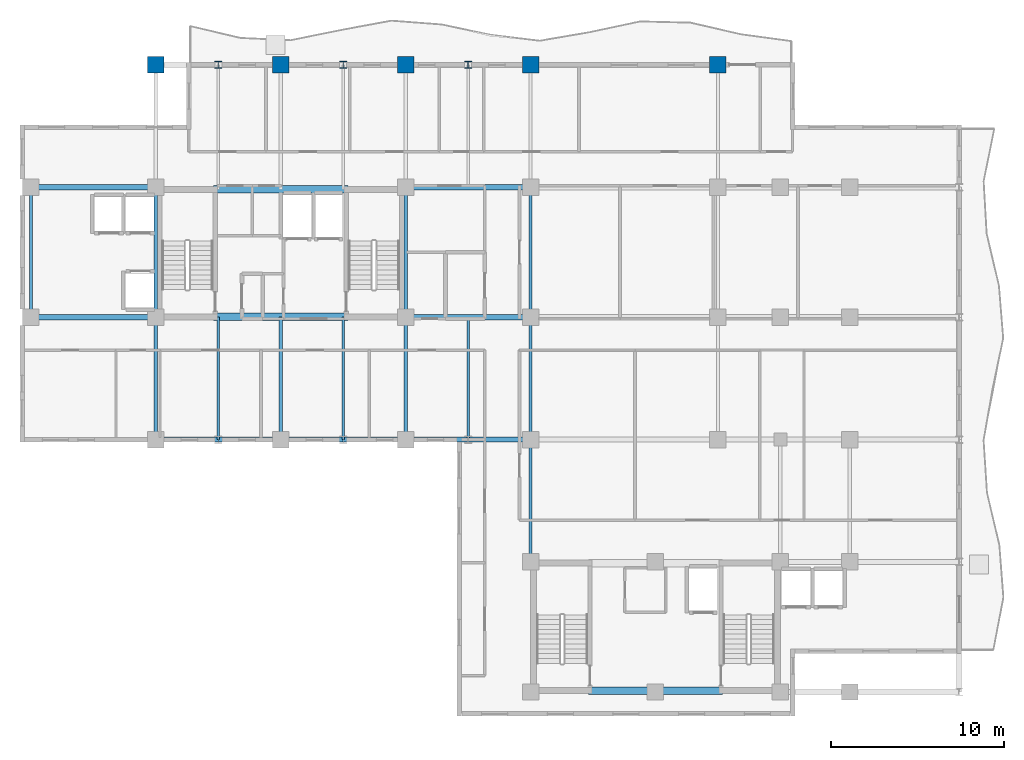
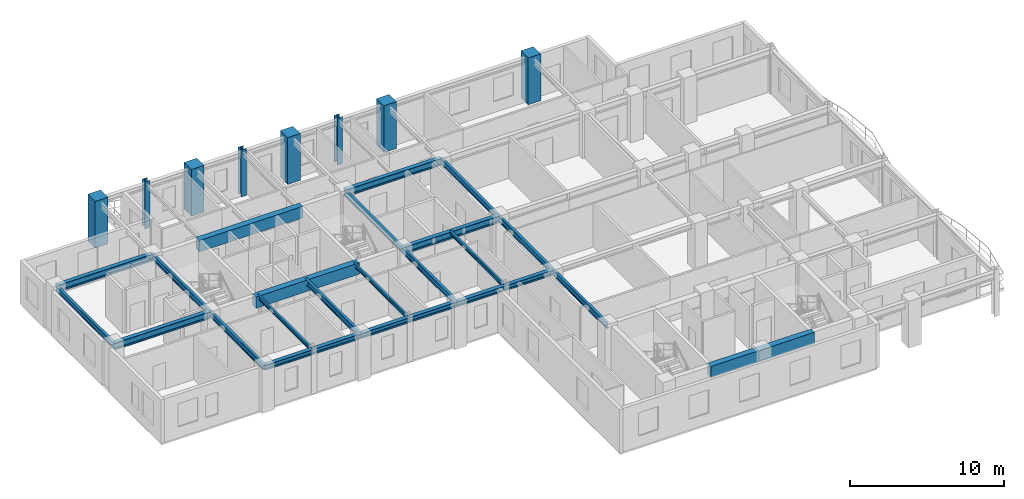
# One storey, part 3 of 13: 25 beams, 8 columns.
"""IFC4 building model written with IfcOpenShell, lengths in metres."""

from ifc_helpers import new_model, si_unit, direction, frame, origin, origin_2d, place, context, subcontext, project, spatial, rectangle, i_section, extrude, source, transform, mapped, material, material_profile, profile_set, type_object, element, save


model = new_model("IFC4")

# Units and contexts
model_context = context("Model", 3, precision=1e-05, world=origin(), true_north=direction((0.0, 1.0)))
body_context = subcontext(model_context, "Body", "Model", "MODEL_VIEW")
ifc_project = project(units=[si_unit("LENGTHUNIT", "METRE"), si_unit("AREAUNIT", "SQUARE_METRE"), si_unit("VOLUMEUNIT", "CUBIC_METRE"), si_unit("PLANEANGLEUNIT", "RADIAN"), si_unit("MASSUNIT", "GRAM", prefix="KILO")], contexts=[model_context])

# Site, building, storey
site_placement = place(None, origin())
site = spatial("IfcSite", under=ifc_project, at=site_placement, CompositionType="ELEMENT")
building_placement = place(site_placement, origin())
building = spatial("IfcBuilding", under=site, at=building_placement, Name="Kaliganga Portal Commons", CompositionType="ELEMENT")
storey_placement = place(building_placement, frame((0.0, 0.0, 224.0)))
storey = spatial("IfcBuildingStorey", under=building, at=storey_placement, Name="L57", CompositionType="ELEMENT", Elevation=224.0)

# Columns
ifc_material_1 = material(Name="Concrete C50/60", Category="concrete")
ifc_material_profile_1 = material_profile(ifc_material_1, rectangle(XDim=0.949951171875, YDim=0.949951171875, at=origin_2d()), Name="RC 950x950")
ifc_profile_set_1 = profile_set([ifc_material_profile_1], Name="Concrete C50/60")
column_type_1 = type_object("IfcColumnType", Name="COL-MEGA-Z4", PredefinedType="COLUMN", material=ifc_profile_set_1)
shared_shape_1 = source(origin(), body_context, "Body", "SweptSolid", [
    extrude(rectangle(XDim=0.949951171875, YDim=0.949951171875, at=origin_2d()), origin(), (0.0, 0.0, 1.0), 3.699951171875),
])
for number, where, z_axis, x_axis, name in (
    (1, (14.39990234375, 43.199951171875, 0.0), (0.0, 0.0, 1.0), (1.0, 0.0, 0.0), "Column MC-05 L57"),
    (2, (21.60009765625, 43.199951171875, 0.0), (0.0, 0.0, 1.0), (1.0, 0.0, 0.0), "Column MC-05 L57"),
    (3, (28.800048828125, 43.199951171875, 0.0), (0.0, 0.0, 1.0), (1.0, 0.0, 0.0), "Column MC-05 L57"),
    (4, (36.0, 43.199951171875, 0.0), (0.0, 0.0, 1.0), (1.0, 0.0, 0.0), "Column MC-05 L57"),
    (5, (46.800048828125, 43.199951171875, 0.0), (0.0, 0.0, 1.0), (1.0, 0.0, 0.0), "Column MC-05 L57"),
):
    element("IfcColumn", number, at=place(storey_placement, frame(where, z_axis=z_axis, x_axis=x_axis)), inside=storey, type_object=column_type_1, Name=name, PredefinedType="COLUMN", context=body_context, shape_type="MappedRepresentation", body=[
        mapped(shared_shape_1, transform((0.0, 0.0, 0.0), x_axis=(1.0, 0.0, 0.0), y_axis=(0.0, 1.0, 0.0), z_axis=(0.0, 0.0, 1.0), scale=1.0)),
    ])
ifc_material_2 = material(Name="Structural steel S355J2", Category="steel")
ifc_material_profile_2 = material_profile(ifc_material_2, i_section(OverallWidth=0.39892578125, OverallDepth=0.39990234375, WebThickness=0.017333984375, FlangeThickness=0.0234375, FilletRadius=0.014892578125, at=origin_2d()), Name="HD 400x287")
ifc_profile_set_2 = profile_set([ifc_material_profile_2], Name="Structural steel S355J2 wide-flange")
column_type_2 = type_object("IfcColumnType", Name="COL-TUBE-B4", PredefinedType="COLUMN", material=ifc_profile_set_2)
shared_shape_2 = source(origin(), body_context, "Body", "SweptSolid", [
    extrude(i_section(OverallWidth=0.39892578125, OverallDepth=0.39990234375, WebThickness=0.017333984375, FlangeThickness=0.0234375, FilletRadius=0.014892578125, at=origin_2d()), origin(), (0.0, 0.0, 1.0), 3.699951171875),
])
for number, where, z_axis, x_axis, name in (
    (6, (18.0, 43.199951171875, 0.0), (0.0, 0.0, 1.0), (1.0, 0.0, 0.0), "Column TC-04 L57"),
    (7, (25.199951171875, 43.199951171875, 0.0), (0.0, 0.0, 1.0), (1.0, 0.0, 0.0), "Column TC-04 L57"),
    (8, (32.39990234375, 43.199951171875, 0.0), (0.0, 0.0, 1.0), (1.0, 0.0, 0.0), "Column TC-04 L57"),
):
    element("IfcColumn", number, at=place(storey_placement, frame(where, z_axis=z_axis, x_axis=x_axis)), inside=storey, type_object=column_type_2, Name=name, PredefinedType="COLUMN", context=body_context, shape_type="MappedRepresentation", body=[
        mapped(shared_shape_2, transform((0.0, 0.0, 0.0), x_axis=(1.0, 0.0, 0.0), y_axis=(0.0, 1.0, 0.0), z_axis=(0.0, 0.0, 1.0), scale=1.0)),
    ])

# Beams
ifc_material_profile_3 = material_profile(ifc_material_1, rectangle(XDim=0.449951171875, YDim=0.89990234375, at=origin_2d()), Name="RC 450x900")
ifc_profile_set_3 = profile_set([ifc_material_profile_3], Name="Concrete C50/60")
beam_type_1 = type_object("IfcBeamType", Name="BM-CPL-900", PredefinedType="LINTEL", material=ifc_profile_set_3)
shared_shape_3 = source(origin(), body_context, "Body", "SweptSolid", [
    extrude(rectangle(XDim=0.449951171875, YDim=0.89990234375, at=origin_2d()), origin(), (0.0, 0.0, 1.0), 7.739990234375),
])
for number, where, z_axis, x_axis, name in (
    (9, (17.72998046875, 28.675048828125, 3.02001953125), (1.0, 0.0, 0.0), (0.0, 1.0, 0.0), "BM CPL COREA L57 S"),
    (10, (17.72998046875, 36.02490234375, 3.02001953125), (1.0, 0.0, 0.0), (0.0, 1.0, 0.0), "BM CPL COREA L57 N"),
    (11, (39.330078125, 7.125, 3.02001953125), (1.0, 0.0, 0.0), (0.0, 1.0, 0.0), "BM CPL COREB L57 S"),
):
    element("IfcBeam", number, at=place(storey_placement, frame(where, z_axis=z_axis, x_axis=x_axis)), inside=storey, type_object=beam_type_1, Name=name, PredefinedType="LINTEL", context=body_context, shape_type="MappedRepresentation", body=[
        mapped(shared_shape_3, transform((0.0, 0.0, 0.0), x_axis=(1.0, 0.0, 0.0), y_axis=(0.0, 1.0, 0.0), z_axis=(0.0, 0.0, 1.0), scale=1.0)),
    ])
ifc_material_profile_4 = material_profile(ifc_material_2, i_section(OverallWidth=0.18994140625, OverallDepth=0.449951171875, WebThickness=0.009521484375, FlangeThickness=0.0146484375, FilletRadius=0.02099609375, at=origin_2d()), Name="IPE 450")
ifc_profile_set_4 = profile_set([ifc_material_profile_4], Name="Structural steel S355J2 wide-flange")
beam_type_2 = type_object("IfcBeamType", Name="BM-FLR-450", PredefinedType="BEAM", material=ifc_profile_set_4)
shared_shape_4 = source(origin(), body_context, "Body", "SweptSolid", [
    extrude(i_section(OverallWidth=0.18994140625, OverallDepth=0.449951171875, WebThickness=0.009521484375, FlangeThickness=0.0146484375, FilletRadius=0.02099609375, at=origin_2d()), origin(), (0.0, 0.0, 1.0), 7.5),
])
for number, where, z_axis, x_axis, name in (
    (12, (7.199951171875, 28.64990234375, 3.2451171875), (0.0, 1.0, 0.0), (-1.0, 0.0, 0.0), "BM G L57 AW72"),
    (13, (14.39990234375, 28.64990234375, 3.2451171875), (0.0, 1.0, 0.0), (-1.0, 0.0, 0.0), "BM G L57 AM144"),
    (14, (28.800048828125, 28.64990234375, 3.2451171875), (0.0, 1.0, 0.0), (-1.0, 0.0, 0.0), "BM G L57 AM288"),
    (15, (36.0, 28.64990234375, 3.2451171875), (0.0, 1.0, 0.0), (-1.0, 0.0, 0.0), "BM G L57 AM360"),
):
    element("IfcBeam", number, at=place(storey_placement, frame(where, z_axis=z_axis, x_axis=x_axis)), inside=storey, type_object=beam_type_2, Name=name, PredefinedType="BEAM", context=body_context, shape_type="MappedRepresentation", body=[
        mapped(shared_shape_4, transform((0.0, 0.0, 0.0), x_axis=(1.0, 0.0, 0.0), y_axis=(0.0, 1.0, 0.0), z_axis=(0.0, 0.0, 1.0), scale=1.0)),
    ])
shared_shape_5 = source(origin(), body_context, "Body", "SweptSolid", [
    extrude(i_section(OverallWidth=0.18994140625, OverallDepth=0.449951171875, WebThickness=0.009521484375, FlangeThickness=0.0146484375, FilletRadius=0.02099609375, at=origin_2d()), origin(), (0.0, 0.0, 1.0), 7.050048828125),
])
beam_1_placement = place(storey_placement, frame((36.0, 14.550048828125, 3.2451171875), z_axis=(0.0, 1.0, 0.0), x_axis=(-1.0, 0.0, 0.0)))
element("IfcBeam", 16, at=beam_1_placement, inside=storey, type_object=beam_type_2, Name="BM G L57 BNK360", PredefinedType="BEAM", context=body_context, shape_type="MappedRepresentation", body=[
    mapped(shared_shape_5, transform((0.0, 0.0, 0.0), x_axis=(1.0, 0.0, 0.0), y_axis=(0.0, 1.0, 0.0), z_axis=(0.0, 0.0, 1.0), scale=1.0)),
])
shared_shape_6 = source(origin(), body_context, "Body", "SweptSolid", [
    extrude(i_section(OverallWidth=0.18994140625, OverallDepth=0.449951171875, WebThickness=0.009521484375, FlangeThickness=0.0146484375, FilletRadius=0.02099609375, at=origin_2d()), origin(), (0.0, 0.0, 1.0), 7.0498046875),
])
for number, where, z_axis, x_axis, name in (
    (17, (14.39990234375, 21.60009765625, 3.2451171875), (0.0, 1.0, 0.0), (-1.0, 0.0, 0.0), "BM G L57 AS144"),
    (18, (28.800048828125, 21.60009765625, 3.2451171875), (0.0, 1.0, 0.0), (-1.0, 0.0, 0.0), "BM G L57 AS288"),
    (19, (36.0, 21.60009765625, 3.2451171875), (0.0, 1.0, 0.0), (-1.0, 0.0, 0.0), "BM G L57 AS360"),
):
    element("IfcBeam", number, at=place(storey_placement, frame(where, z_axis=z_axis, x_axis=x_axis)), inside=storey, type_object=beam_type_2, Name=name, PredefinedType="BEAM", context=body_context, shape_type="MappedRepresentation", body=[
        mapped(shared_shape_6, transform((0.0, 0.0, 0.0), x_axis=(1.0, 0.0, 0.0), y_axis=(0.0, 1.0, 0.0), z_axis=(0.0, 0.0, 1.0), scale=1.0)),
    ])
ifc_material_profile_5 = material_profile(ifc_material_2, i_section(OverallWidth=0.14990234375, OverallDepth=0.300048828125, WebThickness=0.007080078125, FlangeThickness=0.0107421875, FilletRadius=0.014892578125, at=origin_2d()), Name="IPE 300")
ifc_profile_set_5 = profile_set([ifc_material_profile_5], Name="Structural steel S355J2 wide-flange")
beam_type_3 = type_object("IfcBeamType", Name="BM-JST-300", PredefinedType="JOIST", material=ifc_profile_set_5)
shared_shape_7 = source(origin(), body_context, "Body", "SweptSolid", [
    extrude(i_section(OverallWidth=0.14990234375, OverallDepth=0.300048828125, WebThickness=0.007080078125, FlangeThickness=0.0107421875, FilletRadius=0.014892578125, at=origin_2d()), origin(), (0.0, 0.0, 1.0), 7.0498046875),
])
beam_2_placement = place(storey_placement, frame((32.39990234375, 21.60009765625, 3.320068359375), z_axis=(0.0, 1.0, 0.0), x_axis=(-1.0, 0.0, 0.0)))
element("IfcBeam", 20, at=beam_2_placement, inside=storey, type_object=beam_type_3, Name="BM G L57 AS324", PredefinedType="JOIST", context=body_context, shape_type="MappedRepresentation", body=[
    mapped(shared_shape_7, transform((0.0, 0.0, 0.0), x_axis=(1.0, 0.0, 0.0), y_axis=(0.0, 1.0, 0.0), z_axis=(0.0, 0.0, 1.0), scale=1.0)),
])
ifc_material_profile_6 = material_profile(ifc_material_2, i_section(OverallWidth=0.300048828125, OverallDepth=0.39990234375, WebThickness=0.013427734375, FlangeThickness=0.02392578125, FilletRadius=0.027099609375, at=origin_2d()), Name="HE 400 B")
ifc_profile_set_6 = profile_set([ifc_material_profile_6], Name="Structural steel S355J2 wide-flange")
beam_type_4 = type_object("IfcBeamType", Name="BM-SPAND-400", PredefinedType="SPANDREL", material=ifc_profile_set_6)
shared_shape_8 = source(origin(), body_context, "Body", "SweptSolid", [
    extrude(i_section(OverallWidth=0.300048828125, OverallDepth=0.39990234375, WebThickness=0.013427734375, FlangeThickness=0.02392578125, FilletRadius=0.027099609375, at=origin_2d()), origin(), (0.0, 0.0, 1.0), 3.60009765625),
])
for number, where, z_axis, x_axis, name in (
    (21, (14.39990234375, 21.60009765625, 3.27001953125), (1.0, 0.0, 0.0), (0.0, 1.0, 0.0), "BM SP L57 AS 1"),
    (22, (18.0, 21.60009765625, 3.27001953125), (1.0, 0.0, 0.0), (0.0, 1.0, 0.0), "BM SP L57 AS 2"),
    (23, (25.199951171875, 21.60009765625, 3.27001953125), (1.0, 0.0, 0.0), (0.0, 1.0, 0.0), "BM SP L57 AS 4"),
    (24, (32.39990234375, 21.60009765625, 3.27001953125), (1.0, 0.0, 0.0), (0.0, 1.0, 0.0), "BM SP L57 AS 6"),
):
    element("IfcBeam", number, at=place(storey_placement, frame(where, z_axis=z_axis, x_axis=x_axis)), inside=storey, type_object=beam_type_4, Name=name, PredefinedType="SPANDREL", context=body_context, shape_type="MappedRepresentation", body=[
        mapped(shared_shape_8, transform((0.0, 0.0, 0.0), x_axis=(1.0, 0.0, 0.0), y_axis=(0.0, 1.0, 0.0), z_axis=(0.0, 0.0, 1.0), scale=1.0)),
    ])
shared_shape_9 = source(origin(), body_context, "Body", "SweptSolid", [
    extrude(i_section(OverallWidth=0.300048828125, OverallDepth=0.39990234375, WebThickness=0.013427734375, FlangeThickness=0.02392578125, FilletRadius=0.027099609375, at=origin_2d()), origin(), (0.0, 0.0, 1.0), 3.599853515625),
])
for number, where, z_axis, x_axis, name in (
    (25, (21.60009765625, 21.60009765625, 3.27001953125), (1.0, 0.0, 0.0), (0.0, 1.0, 0.0), "BM SP L57 AS 3"),
    (26, (28.800048828125, 21.60009765625, 3.27001953125), (1.0, 0.0, 0.0), (0.0, 1.0, 0.0), "BM SP L57 AS 5"),
):
    element("IfcBeam", number, at=place(storey_placement, frame(where, z_axis=z_axis, x_axis=x_axis)), inside=storey, type_object=beam_type_4, Name=name, PredefinedType="SPANDREL", context=body_context, shape_type="MappedRepresentation", body=[
        mapped(shared_shape_9, transform((0.0, 0.0, 0.0), x_axis=(1.0, 0.0, 0.0), y_axis=(0.0, 1.0, 0.0), z_axis=(0.0, 0.0, 1.0), scale=1.0)),
    ])
ifc_material_profile_7 = material_profile(ifc_material_2, i_section(OverallWidth=0.300048828125, OverallDepth=0.550048828125, WebThickness=0.014892578125, FlangeThickness=0.029052734375, FilletRadius=0.027099609375, at=origin_2d()), Name="HE 550 B")
ifc_profile_set_7 = profile_set([ifc_material_profile_7], Name="Structural steel S355J2 wide-flange")
beam_type_5 = type_object("IfcBeamType", Name="BM-GIRD-550", PredefinedType="USERDEFINED", material=ifc_profile_set_7)
shared_shape_10 = source(origin(), body_context, "Body", "SweptSolid", [
    extrude(i_section(OverallWidth=0.300048828125, OverallDepth=0.550048828125, WebThickness=0.014892578125, FlangeThickness=0.029052734375, FilletRadius=0.027099609375, at=origin_2d()), origin(), (0.0, 0.0, 1.0), 7.199951171875),
])
for number, where, z_axis, x_axis, name in (
    (27, (7.199951171875, 28.64990234375, 3.195068359375), (1.0, 0.0, 0.0), (0.0, 1.0, 0.0), "BM G L57 WAH_S 1"),
    (28, (7.199951171875, 36.14990234375, 3.195068359375), (1.0, 0.0, 0.0), (0.0, 1.0, 0.0), "BM G L57 WAH_N 1"),
    (29, (28.800048828125, 28.64990234375, 3.195068359375), (1.0, 0.0, 0.0), (0.0, 1.0, 0.0), "BM G L57 WAE_S 1"),
    (30, (28.800048828125, 36.14990234375, 3.195068359375), (1.0, 0.0, 0.0), (0.0, 1.0, 0.0), "BM G L57 WAE_N 1"),
):
    element("IfcBeam", number, at=place(storey_placement, frame(where, z_axis=z_axis, x_axis=x_axis)), inside=storey, type_object=beam_type_5, Name=name, ObjectType="GIRDER", PredefinedType="USERDEFINED", context=body_context, shape_type="MappedRepresentation", body=[
        mapped(shared_shape_10, transform((0.0, 0.0, 0.0), x_axis=(1.0, 0.0, 0.0), y_axis=(0.0, 1.0, 0.0), z_axis=(0.0, 0.0, 1.0), scale=1.0)),
    ])
shared_shape_11 = source(origin(), body_context, "Body", "SweptSolid", [
    extrude(i_section(OverallWidth=0.14990234375, OverallDepth=0.300048828125, WebThickness=0.007080078125, FlangeThickness=0.0107421875, FilletRadius=0.014892578125, at=origin_2d()), origin(), (0.0, 0.0, 1.0), 7.074951171875),
])
for number, where, z_axis, x_axis, name in (
    (31, (18.0, 21.60009765625, 3.320068359375), (0.0, 1.0, 0.0), (-1.0, 0.0, 0.0), "BM G L57 AS180"),
    (32, (25.199951171875, 21.60009765625, 3.320068359375), (0.0, 1.0, 0.0), (-1.0, 0.0, 0.0), "BM G L57 AS252"),
):
    element("IfcBeam", number, at=place(storey_placement, frame(where, z_axis=z_axis, x_axis=x_axis)), inside=storey, type_object=beam_type_3, Name=name, PredefinedType="JOIST", context=body_context, shape_type="MappedRepresentation", body=[
        mapped(shared_shape_11, transform((0.0, 0.0, 0.0), x_axis=(1.0, 0.0, 0.0), y_axis=(0.0, 1.0, 0.0), z_axis=(0.0, 0.0, 1.0), scale=1.0)),
    ])
shared_shape_12 = source(origin(), body_context, "Body", "SweptSolid", [
    extrude(i_section(OverallWidth=0.18994140625, OverallDepth=0.449951171875, WebThickness=0.009521484375, FlangeThickness=0.0146484375, FilletRadius=0.02099609375, at=origin_2d()), origin(), (0.0, 0.0, 1.0), 7.074951171875),
])
beam_3_placement = place(storey_placement, frame((21.60009765625, 21.60009765625, 3.2451171875), z_axis=(0.0, 1.0, 0.0), x_axis=(-1.0, 0.0, 0.0)))
element("IfcBeam", 33, at=beam_3_placement, inside=storey, type_object=beam_type_2, Name="BM G L57 AS216", PredefinedType="BEAM", context=body_context, shape_type="MappedRepresentation", body=[
    mapped(shared_shape_12, transform((0.0, 0.0, 0.0), x_axis=(1.0, 0.0, 0.0), y_axis=(0.0, 1.0, 0.0), z_axis=(0.0, 0.0, 1.0), scale=1.0)),
])

save(model, "model.ifc")
